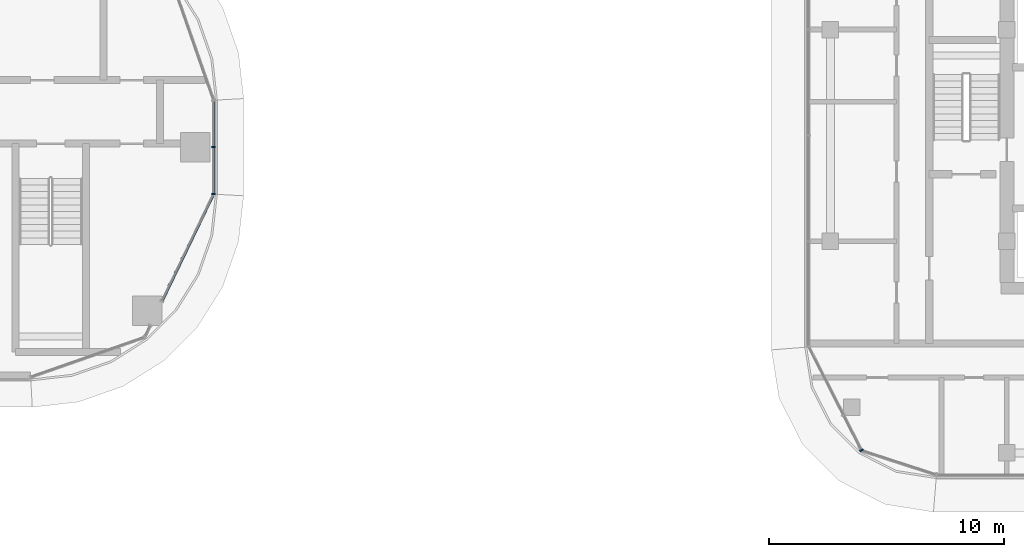
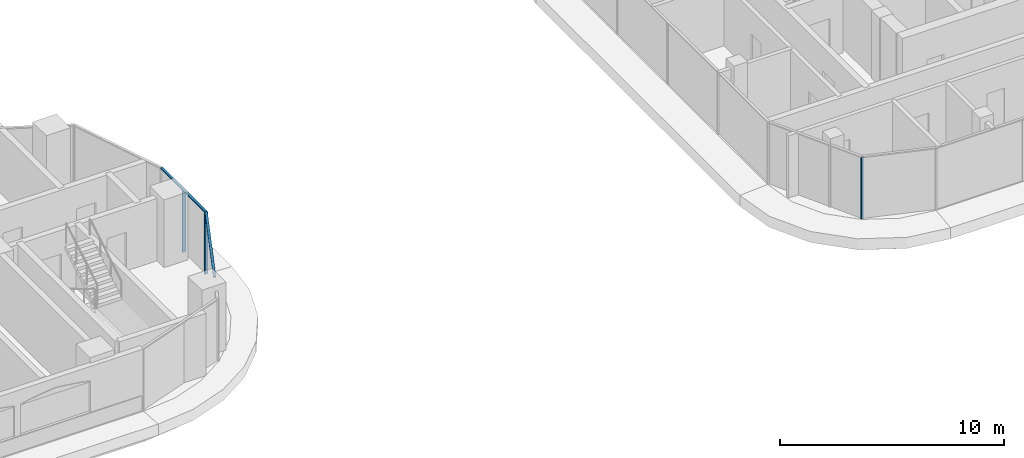
# One storey, part 7 of 40: 5 members, 3 elements without a shape of their own.
"""IFC4 building model written with IfcOpenShell, lengths in metres."""

from ifc_helpers import new_model, si_unit, direction, frame, origin, origin_2d, place, context, subcontext, project, spatial, rectangle, extrude, material, material_profile, profile_set, type_object, element, aggregate, save


model = new_model("IFC4")

# Units and contexts
model_context = context("Model", 3, precision=1e-05, world=origin(), true_north=direction((0.0, 1.0)))
body_context = subcontext(model_context, "Body", "Model", "MODEL_VIEW")
ifc_project = project(units=[si_unit("LENGTHUNIT", "METRE"), si_unit("AREAUNIT", "SQUARE_METRE"), si_unit("VOLUMEUNIT", "CUBIC_METRE"), si_unit("PLANEANGLEUNIT", "RADIAN"), si_unit("MASSUNIT", "GRAM", prefix="KILO")], contexts=[model_context])

# Site, building, storey
site_placement = place(None, origin())
site = spatial("IfcSite", under=ifc_project, at=site_placement, CompositionType="ELEMENT")
building_placement = place(site_placement, origin())
building = spatial("IfcBuilding", under=site, at=building_placement, Name="Ogive Portal Towers", CompositionType="ELEMENT")
storey_placement = place(building_placement, frame((0.0, 0.0, 87.10009765625)))
storey = spatial("IfcBuildingStorey", under=building, at=storey_placement, Name="L20", CompositionType="ELEMENT", Elevation=87.10009765625)

# Curtain wall, members
ifc_material_1 = material(Name="Glass, clear low-iron insulated glazing", Category="glass")
curtain_wall_type_1 = type_object("IfcCurtainWallType", Name="CW FRONT RIBBON 4500", PredefinedType="NOTDEFINED", material=ifc_material_1)
curtain_wall_1_placement = place(storey_placement, origin())
curtain_wall_1 = element("IfcCurtainWall", 1, at=curtain_wall_1_placement, inside=storey, type_object=curtain_wall_type_1, Name="A:L20:f08:cw0", PredefinedType="NOTDEFINED")
ifc_material_2 = material(Name="Aluminium 6063 anodised", Category="aluminium")
ifc_material_profile_1 = material_profile(ifc_material_2, rectangle(XDim=0.159912109375, YDim=0.06005859375, at=origin_2d()), Name="AL 60x160")
ifc_profile_set_1 = profile_set([ifc_material_profile_1], Name="Aluminium 6063 anodised")
member_type_1 = type_object("IfcMemberType", Name="CW MULLION 60x160", PredefinedType="MULLION", material=ifc_profile_set_1)
member_1_placement = place(storey_placement, frame((95.27490234375, 28.518310546875, 0.0), z_axis=(0.0, 0.0, 1.0), x_axis=(-1.0, 0.0, 0.0)))
member_1 = element("IfcMember", 2, at=member_1_placement, type_object=member_type_1, Name="mullion", PredefinedType="MULLION", context=body_context, shape_type="SweptSolid", body=[
    extrude(rectangle(XDim=0.159912109375, YDim=0.06005859375, at=origin_2d()), origin(), (0.0, 0.0, 1.0), 3.33984375),
])
member_2_placement = place(storey_placement, frame((95.27490234375, 30.5, 0.0), z_axis=(0.0, 0.0, 1.0), x_axis=(-1.0, 0.0, 0.0)))
member_2 = element("IfcMember", 3, at=member_2_placement, type_object=member_type_1, Name="mullion", PredefinedType="MULLION", context=body_context, shape_type="SweptSolid", body=[
    extrude(rectangle(XDim=0.159912109375, YDim=0.06005859375, at=origin_2d()), origin(), (0.0, 0.0, 1.0), 3.33984375),
])

# Curtain wall, member
curtain_wall_type_2 = type_object("IfcCurtainWallType", Name="CW RESIDENCES RIBBON", PredefinedType="NOTDEFINED", material=ifc_material_1)
curtain_wall_2_placement = place(storey_placement, origin())
curtain_wall_2 = element("IfcCurtainWall", 4, at=curtain_wall_2_placement, inside=storey, type_object=curtain_wall_type_2, Name="B:L20:f00:cwa~1", PredefinedType="NOTDEFINED")
member_3_placement = place(storey_placement, frame((122.817626953125, 17.608154296875, 0.0), z_axis=(0.0, 0.0, 1.0), x_axis=(0.891006524188, 0.45399049974, 0.0)))
member_3 = element("IfcMember", 5, at=member_3_placement, type_object=member_type_1, Name="mullion", PredefinedType="MULLION", context=body_context, shape_type="SweptSolid", body=[
    extrude(rectangle(XDim=0.159912109375, YDim=0.06005859375, at=origin_2d()), origin(), (0.0, 0.0, 1.0), 3.33984375),
])
aggregate(curtain_wall_2, [member_3])

# Member
ifc_material_profile_2 = material_profile(ifc_material_2, rectangle(XDim=0.1201171875, YDim=0.06005859375, at=origin_2d()), Name="AL 120x60")
ifc_profile_set_2 = profile_set([ifc_material_profile_2], Name="Aluminium 6063 anodised")
member_type_2 = type_object("IfcMemberType", Name="CW TRANSOM 60x120", PredefinedType="USERDEFINED", material=ifc_profile_set_2)
member_4_placement = place(storey_placement, frame((95.27490234375, 28.518310546875, 3.369873046875), z_axis=(0.0, 1.0, 0.0), x_axis=(-1.0, 0.0, 0.0)))
member_4 = element("IfcMember", 6, at=member_4_placement, type_object=member_type_2, Name="transom", ObjectType="TRANSOM", PredefinedType="USERDEFINED", context=body_context, shape_type="SweptSolid", body=[
    extrude(rectangle(XDim=0.1201171875, YDim=0.06005859375, at=origin_2d()), origin(), (0.0, 0.0, 1.0), 3.968017578125),
])

aggregate(curtain_wall_1, [member_4, member_1, member_2])

# Curtain wall, member
curtain_wall_3_placement = place(storey_placement, origin())
curtain_wall_3 = element("IfcCurtainWall", 7, at=curtain_wall_3_placement, inside=storey, type_object=curtain_wall_type_1, Name="A:L20:f06:cwa~1", PredefinedType="NOTDEFINED")
member_5_placement = place(storey_placement, frame((93.074951171875, 23.949951171875, 3.369873046875), z_axis=(0.433874973595, 0.900973089103, 0.0), x_axis=(-0.900973089103, 0.433874973595, 0.0)))
member_5 = element("IfcMember", 8, at=member_5_placement, type_object=member_type_2, Name="transom", ObjectType="TRANSOM", PredefinedType="USERDEFINED", context=body_context, shape_type="SweptSolid", body=[
    extrude(rectangle(XDim=0.1201171875, YDim=0.06005859375, at=origin_2d()), origin(), (0.0, 0.0, 1.0), 5.070556640625),
])
aggregate(curtain_wall_3, [member_5])

save(model, "model.ifc")
